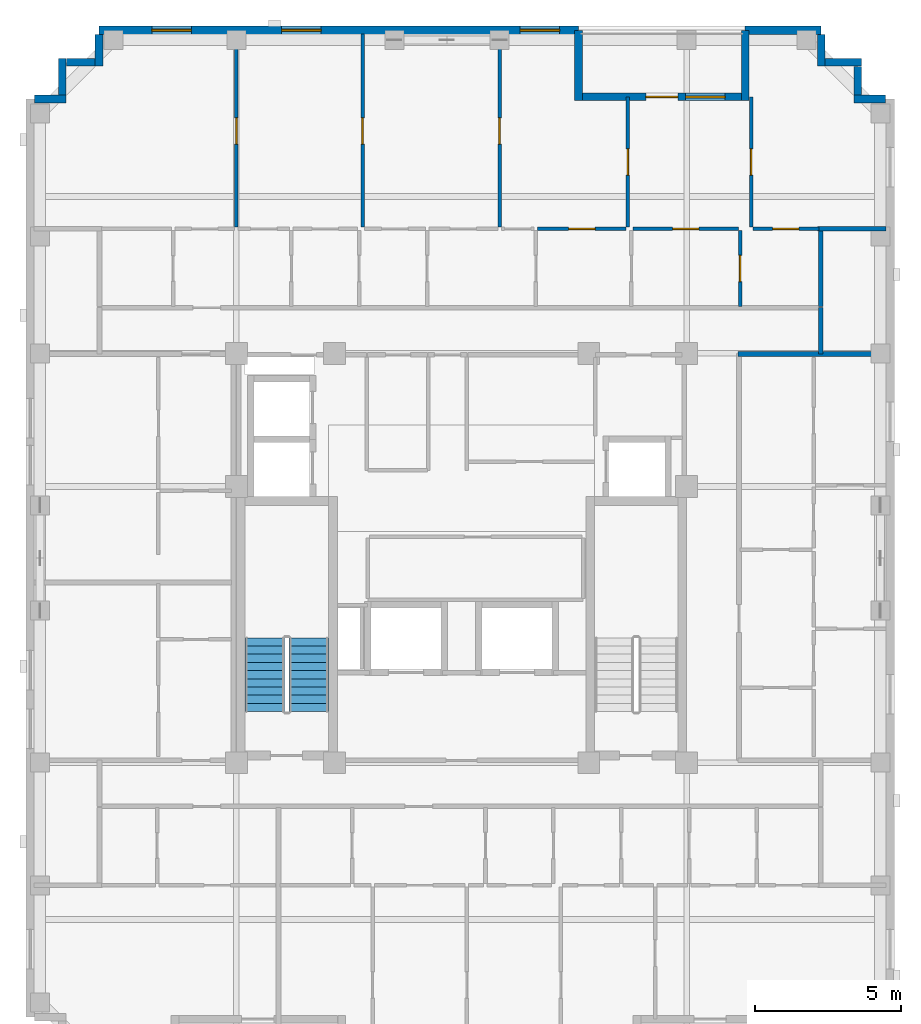
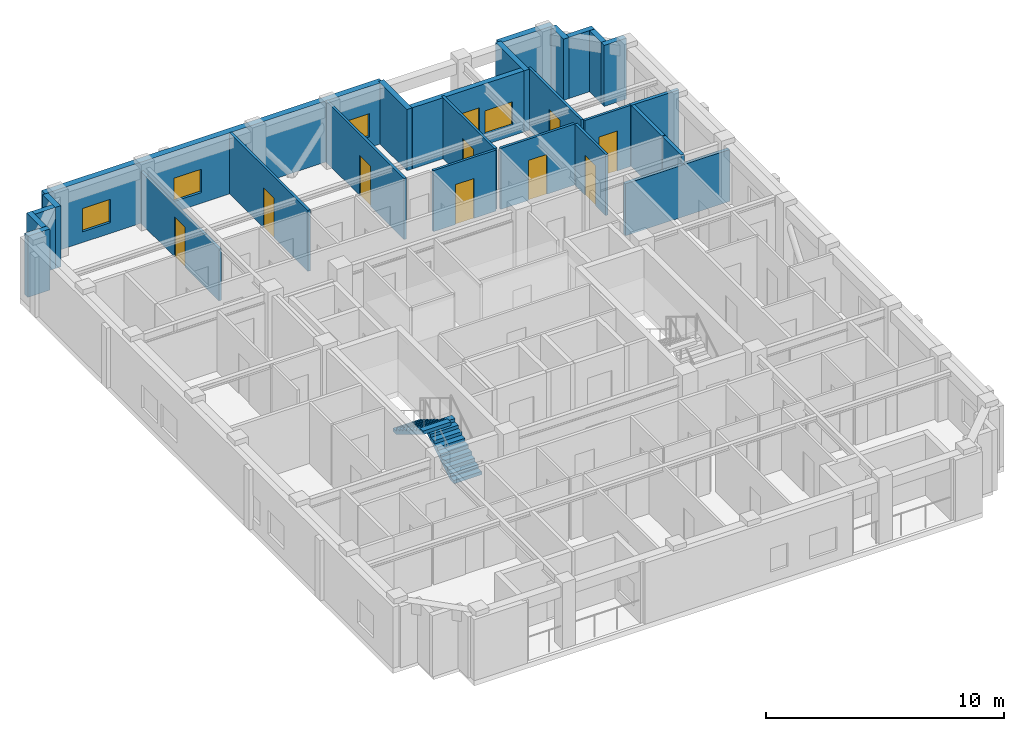
# One storey, part 7 of 11: 26 walls, 10 doors, 4 windows, 2 stair flights, 14 openings, 1 element without a shape of its own.
"""IFC4 building model written with IfcOpenShell, lengths in metres."""

from ifc_helpers import new_model, si_unit, derived_unit, direction, frame, frame_2d, origin, place, context, subcontext, project, spatial, polyline, rectangle, outline, extrude, material, layer, layer_set, type_object, element, fill, aggregate, save


model = new_model("IFC4")

# Units and contexts
model_context = context("Model", 3, precision=1e-05, world=origin(), true_north=direction((0.0, 1.0)))
body_context = subcontext(model_context, "Body", "Model", "MODEL_VIEW")
ifc_project = project(units=[si_unit("LENGTHUNIT", "METRE"), si_unit("AREAUNIT", "SQUARE_METRE"), si_unit("VOLUMEUNIT", "CUBIC_METRE"), si_unit("PLANEANGLEUNIT", "RADIAN"), si_unit("MASSUNIT", "GRAM", prefix="KILO"), derived_unit("THERMALTRANSMITTANCEUNIT", [(si_unit("MASSUNIT", "GRAM", prefix="KILO"), 1), (si_unit("TIMEUNIT", "SECOND"), -3), (si_unit("THERMODYNAMICTEMPERATUREUNIT", "KELVIN"), -1)])], contexts=[model_context])

# Site, building, storey
site_placement = place(None, origin())
site = spatial("IfcSite", under=ifc_project, at=site_placement, CompositionType="ELEMENT")
building_placement = place(site_placement, origin())
building = spatial("IfcBuilding", under=site, at=building_placement, Name="Korrvale Station Residences", CompositionType="ELEMENT")
storey_placement = place(building_placement, frame((0.0, 0.0, 244.5)))
storey = spatial("IfcBuildingStorey", under=building, at=storey_placement, Name="L71", CompositionType="ELEMENT", Elevation=244.5)

# Wall
ifc_material_1 = material(Name="Precast concrete C45/55", Category="concrete")
ifc_layer_1 = layer(ifc_material_1, 0.260009765625, Name="Precast concrete C45/55")
ifc_layer_set_1 = layer_set([ifc_layer_1], Name="Precast concrete C45/55")
wall_type_1 = type_object("IfcWallType", Name="WAL-EXT-LOG260", PredefinedType="SOLIDWALL", material=ifc_layer_set_1)
wall_1_placement = place(storey_placement, frame((29.5, 40.0400390625, 0.0), z_axis=(0.0, 0.0, 1.0), x_axis=(0.0, -1.0, 0.0)))
element("IfcWall", 1, at=wall_1_placement, inside=storey, type_object=wall_type_1, Name="L71 Recessed Loggia Wall BAL-L71-N1-L", PredefinedType="SOLIDWALL", context=body_context, shape_type="SweptSolid", body=[
    extrude(rectangle(XDim=2.400146484375, YDim=0.260009765625, at=frame_2d((1.2001953125, 0.0))), origin(), (0.0, 0.0, 1.0), 3.139892578125),
])

# Wall, openings, door, window
wall_2_placement = place(storey_placement, frame((29.634033203125, 37.77001953125, 0.0), z_axis=(0.0, 0.0, 1.0), x_axis=(1.0, 0.0, 0.0)))
wall_2 = element("IfcWall", 2, at=wall_2_placement, inside=storey, type_object=wall_type_1, Name="L71 Recessed Loggia Wall BAL-L71-N1-B", PredefinedType="SOLIDWALL", context=body_context, shape_type="SweptSolid", body=[
    extrude(rectangle(XDim=5.431884765625, YDim=0.260009765625, at=frame_2d((2.7158203125, 0.0))), origin(), (0.0, 0.0, 1.0), 3.139892578125),
])
opening_1_placement = place(wall_2_placement, frame((2.166015625, 0.0, 0.0)))
opening_1 = element("IfcOpeningElement", 3, at=opening_1_placement, cuts=wall_2, Name="Opening BD-01", PredefinedType="OPENING", context=body_context, shape_type="SweptSolid", body=[
    extrude(rectangle(XDim=1.10009765625, YDim=2.0, at=frame_2d((0.550048828125, 1.0))), frame((0.0, 0.14013671875, 0.0), z_axis=(0.0, -1.0, 0.0), x_axis=(1.0, 0.0, 0.0)), (0.0, 0.0, 1.0), 0.280029296875),
])
opening_2_placement = place(wall_2_placement, frame((3.52587890625, 0.0, 0.550048828125)))
opening_2 = element("IfcOpeningElement", 4, at=opening_2_placement, cuts=wall_2, Name="Opening W-10", PredefinedType="OPENING", context=body_context, shape_type="SweptSolid", body=[
    extrude(rectangle(XDim=1.35009765625, YDim=1.199951171875, at=frame_2d((0.675048828125, 0.60009765625))), frame((0.0, 0.14013671875, 0.0), z_axis=(0.0, -1.0, 0.0), x_axis=(1.0, 0.0, 0.0)), (0.0, 0.0, 1.0), 0.280029296875),
])
ifc_material_2 = material(Name="Exterior thermally broken aluminium glazed balcony door", Category="aluminium")
door_type_1 = type_object("IfcDoorType", Name="DR-EXT-BAL", OperationType="NOTDEFINED", PredefinedType="DOOR", material=ifc_material_2)
door_1_placement = place(opening_1_placement, origin())
door_1 = element("IfcDoor", 5, at=door_1_placement, inside=storey, type_object=door_type_1, Name="L71 Loggia Balcony Door BAL-L71-N1", OperationType="SINGLE_SWING_LEFT", OverallHeight=2.0, OverallWidth=1.10009765625, PredefinedType="DOOR", context=body_context, shape_type="SweptSolid", body=[
    extrude(rectangle(XDim=1.10009765625, YDim=2.0, at=frame_2d((0.550048828125, 1.0))), frame((0.0, 0.02490234375, 0.0), z_axis=(0.0, -1.0, 0.0), x_axis=(1.0, 0.0, 0.0)), (0.0, 0.0, 1.0), 0.050048828125),
])
fill(opening_1, door_1)
ifc_material_3 = material(Name="Thermally broken aluminium frame with triple low-e glazing", Category="aluminium")
window_type = type_object("IfcWindowType", Name="WIN-W10", PartitioningType="SINGLE_PANEL", PredefinedType="WINDOW", material=ifc_material_3)
window_1_placement = place(opening_2_placement, origin())
window_1 = element("IfcWindow", 6, at=window_1_placement, inside=storey, type_object=window_type, Name="L71 Punched Window 09", OverallHeight=1.199951171875, OverallWidth=1.35009765625, PartitioningType="SINGLE_PANEL", PredefinedType="WINDOW", context=body_context, shape_type="SweptSolid", body=[
    extrude(rectangle(XDim=1.35009765625, YDim=1.199951171875, at=frame_2d((0.675048828125, 0.60009765625))), frame((0.0, 0.030029296875, 0.0), z_axis=(0.0, -1.0, 0.0), x_axis=(1.0, 0.0, 0.0)), (0.0, 0.0, 1.0), 0.06005859375),
])
fill(opening_2, window_1)

# Walls
wall_3_placement = place(storey_placement, frame((35.199951171875, 37.639892578125, 0.0), z_axis=(0.0, 0.0, 1.0), x_axis=(0.0, 1.0, 0.0)))
element("IfcWall", 7, at=wall_3_placement, inside=storey, type_object=wall_type_1, Name="L71 Recessed Loggia Wall BAL-L71-N1-R", PredefinedType="SOLIDWALL", context=body_context, shape_type="SweptSolid", body=[
    extrude(rectangle(XDim=2.400146484375, YDim=0.260009765625, at=frame_2d((1.2001953125, 0.0))), origin(), (0.0, 0.0, 1.0), 3.139892578125),
])
wall_4_placement = place(storey_placement, frame((10.902099609375, 37.699951171875, 0.0), z_axis=(0.0, 0.0, 1.0), x_axis=(1.0, 0.0, 0.0)))
element("IfcWall", 8, at=wall_4_placement, inside=storey, type_object=wall_type_1, Name="L71 Serrated Corner Precast Step NW-1", PredefinedType="SOLIDWALL", context=body_context, shape_type="SweptSolid", body=[
    extrude(rectangle(XDim=1.077880859375, YDim=0.260009765625, at=frame_2d((0.5390625, 0.0))), origin(), (0.0, 0.0, 1.0), 3.139892578125),
])
wall_5_placement = place(storey_placement, frame((11.85009765625, 37.83203125, 0.0), z_axis=(0.0, 0.0, 1.0), x_axis=(0.0, 1.0, 0.0)))
element("IfcWall", 9, at=wall_5_placement, inside=storey, type_object=wall_type_1, Name="L71 Serrated Corner Precast Step NW-2", PredefinedType="SOLIDWALL", context=body_context, shape_type="SweptSolid", body=[
    extrude(rectangle(XDim=1.248046875, YDim=0.260009765625, at=frame_2d((0.6240234375, 0.0))), origin(), (0.0, 0.0, 1.0), 3.139892578125),
])
wall_6_placement = place(storey_placement, frame((11.98193359375, 38.949951171875, 0.0), z_axis=(0.0, 0.0, 1.0), x_axis=(1.0, 0.0, 0.0)))
element("IfcWall", 10, at=wall_6_placement, inside=storey, type_object=wall_type_1, Name="L71 Serrated Corner Precast Step NW-3", PredefinedType="SOLIDWALL", context=body_context, shape_type="SweptSolid", body=[
    extrude(rectangle(XDim=0.986083984375, YDim=0.260009765625, at=frame_2d((0.4931640625, 0.0))), origin(), (0.0, 0.0, 1.0), 3.139892578125),
])
for number, where, z_axis, x_axis, name in (
    (11, (13.10009765625, 38.820068359375, 0.0), (0.0, 0.0, 1.0), (0.0, 1.0, 0.0), "L71 Serrated Corner Precast Step NW-4"),
    (12, (37.800048828125, 39.89794921875, 0.0), (0.0, 0.0, 1.0), (0.0, -1.0, 0.0), "L71 Serrated Corner Precast Step NE-1"),
):
    element("IfcWall", number, at=place(storey_placement, frame(where, z_axis=z_axis, x_axis=x_axis)), inside=storey, type_object=wall_type_1, Name=name, PredefinedType="SOLIDWALL", context=body_context, shape_type="SweptSolid", body=[
        extrude(rectangle(XDim=1.077880859375, YDim=0.260009765625, at=frame_2d((0.5390625, 0.0))), origin(), (0.0, 0.0, 1.0), 3.139892578125),
    ])
wall_7_placement = place(storey_placement, frame((37.931884765625, 38.949951171875, 0.0), z_axis=(0.0, 0.0, 1.0), x_axis=(1.0, 0.0, 0.0)))
element("IfcWall", 13, at=wall_7_placement, inside=storey, type_object=wall_type_1, Name="L71 Serrated Corner Precast Step NE-2", PredefinedType="SOLIDWALL", context=body_context, shape_type="SweptSolid", body=[
    extrude(rectangle(XDim=1.248046875, YDim=0.260009765625, at=frame_2d((0.6240234375, 0.0))), origin(), (0.0, 0.0, 1.0), 3.139892578125),
])
wall_8_placement = place(storey_placement, frame((39.050048828125, 38.818115234375, 0.0), z_axis=(0.0, 0.0, 1.0), x_axis=(0.0, -1.0, 0.0)))
element("IfcWall", 14, at=wall_8_placement, inside=storey, type_object=wall_type_1, Name="L71 Serrated Corner Precast Step NE-3", PredefinedType="SOLIDWALL", context=body_context, shape_type="SweptSolid", body=[
    extrude(rectangle(XDim=0.986083984375, YDim=0.260009765625, at=frame_2d((0.4931640625, 0.0))), origin(), (0.0, 0.0, 1.0), 3.139892578125),
])
wall_9_placement = place(storey_placement, frame((38.919921875, 37.699951171875, 0.0), z_axis=(0.0, 0.0, 1.0), x_axis=(1.0, 0.0, 0.0)))
element("IfcWall", 15, at=wall_9_placement, inside=storey, type_object=wall_type_1, Name="L71 Serrated Corner Precast Step NE-4", PredefinedType="SOLIDWALL", context=body_context, shape_type="SweptSolid", body=[
    extrude(rectangle(XDim=1.078125, YDim=0.260009765625, at=frame_2d((0.5390625, 0.0))), origin(), (0.0, 0.0, 1.0), 3.139892578125),
])

# Wall, openings, windows
ifc_layer_2 = layer(ifc_material_1, 0.300048828125, Name="Precast concrete C45/55")
ifc_layer_set_2 = layer_set([ifc_layer_2], Name="Precast concrete C45/55")
wall_type_2 = type_object("IfcWallType", Name="WAL-EXT-PC300", PredefinedType="SOLIDWALL", material=ifc_layer_set_2)
wall_10_placement = place(storey_placement, frame((13.10009765625, 40.050048828125, 0.0), z_axis=(0.0, 0.0, 1.0), x_axis=(1.0, 0.0, 0.0)))
wall_10 = element("IfcWall", 16, at=wall_10_placement, inside=storey, type_object=wall_type_2, Name="L71 North Exterior Precast Wall 1", PredefinedType="SOLIDWALL", context=body_context, shape_type="SweptSolid", body=[
    extrude(rectangle(XDim=16.39990234375, YDim=0.300048828125, at=frame_2d((8.199951171875, 0.0))), origin(), (0.0, 0.0, 1.0), 3.139892578125),
])
opening_3_placement = place(wall_10_placement, frame((1.80810546875, 0.0, 0.550048828125)))
opening_3 = element("IfcOpeningElement", 17, at=opening_3_placement, cuts=wall_10, Name="Opening W-10", PredefinedType="OPENING", context=body_context, shape_type="SweptSolid", body=[
    extrude(rectangle(XDim=1.35009765625, YDim=1.199951171875, at=frame_2d((0.675048828125, 0.60009765625))), frame((0.0, 0.16015625, 0.0), z_axis=(0.0, -1.0, 0.0), x_axis=(1.0, 0.0, 0.0)), (0.0, 0.0, 1.0), 0.320068359375),
])
opening_4_placement = place(wall_10_placement, frame((6.24609375, 0.0, 0.550048828125)))
opening_4 = element("IfcOpeningElement", 18, at=opening_4_placement, cuts=wall_10, Name="Opening W-10", PredefinedType="OPENING", context=body_context, shape_type="SweptSolid", body=[
    extrude(rectangle(XDim=1.35009765625, YDim=1.199951171875, at=frame_2d((0.675048828125, 0.60009765625))), frame((0.0, 0.16015625, 0.0), z_axis=(0.0, -1.0, 0.0), x_axis=(1.0, 0.0, 0.0)), (0.0, 0.0, 1.0), 0.320068359375),
])
opening_5_placement = place(wall_10_placement, frame((14.39990234375, 0.0, 0.550048828125)))
opening_5 = element("IfcOpeningElement", 19, at=opening_5_placement, cuts=wall_10, Name="Opening W-10", PredefinedType="OPENING", context=body_context, shape_type="SweptSolid", body=[
    extrude(rectangle(XDim=1.35009765625, YDim=1.199951171875, at=frame_2d((0.675048828125, 0.60009765625))), frame((0.0, 0.16015625, 0.0), z_axis=(0.0, -1.0, 0.0), x_axis=(1.0, 0.0, 0.0)), (0.0, 0.0, 1.0), 0.320068359375),
])
window_2_placement = place(opening_3_placement, origin())
window_2 = element("IfcWindow", 20, at=window_2_placement, inside=storey, type_object=window_type, Name="L71 Punched Window 06", OverallHeight=1.199951171875, OverallWidth=1.35009765625, PartitioningType="SINGLE_PANEL", PredefinedType="WINDOW", context=body_context, shape_type="SweptSolid", body=[
    extrude(rectangle(XDim=1.35009765625, YDim=1.199951171875, at=frame_2d((0.675048828125, 0.60009765625))), frame((0.0, 0.030029296875, 0.0), z_axis=(0.0, -1.0, 0.0), x_axis=(1.0, 0.0, 0.0)), (0.0, 0.0, 1.0), 0.06005859375),
])
fill(opening_3, window_2)
window_3_placement = place(opening_4_placement, origin())
window_3 = element("IfcWindow", 21, at=window_3_placement, inside=storey, type_object=window_type, Name="L71 Punched Window 07", OverallHeight=1.199951171875, OverallWidth=1.35009765625, PartitioningType="SINGLE_PANEL", PredefinedType="WINDOW", context=body_context, shape_type="SweptSolid", body=[
    extrude(rectangle(XDim=1.35009765625, YDim=1.199951171875, at=frame_2d((0.675048828125, 0.60009765625))), frame((0.0, 0.030029296875, 0.0), z_axis=(0.0, -1.0, 0.0), x_axis=(1.0, 0.0, 0.0)), (0.0, 0.0, 1.0), 0.06005859375),
])
fill(opening_4, window_3)
window_4_placement = place(opening_5_placement, origin())
window_4 = element("IfcWindow", 22, at=window_4_placement, inside=storey, type_object=window_type, Name="L71 Punched Window 08", OverallHeight=1.199951171875, OverallWidth=1.35009765625, PartitioningType="SINGLE_PANEL", PredefinedType="WINDOW", context=body_context, shape_type="SweptSolid", body=[
    extrude(rectangle(XDim=1.35009765625, YDim=1.199951171875, at=frame_2d((0.675048828125, 0.60009765625))), frame((0.0, 0.030029296875, 0.0), z_axis=(0.0, -1.0, 0.0), x_axis=(1.0, 0.0, 0.0)), (0.0, 0.0, 1.0), 0.06005859375),
])
fill(opening_5, window_4)

# Wall
wall_11_placement = place(storey_placement, frame((35.199951171875, 40.050048828125, 0.0), z_axis=(0.0, 0.0, 1.0), x_axis=(1.0, 0.0, 0.0)))
element("IfcWall", 23, at=wall_11_placement, inside=storey, type_object=wall_type_2, Name="L71 North Exterior Precast Wall 2", PredefinedType="SOLIDWALL", context=body_context, shape_type="SweptSolid", body=[
    extrude(rectangle(XDim=2.60009765625, YDim=0.300048828125, at=frame_2d((1.300048828125, 0.0))), origin(), (0.0, 0.0, 1.0), 3.139892578125),
])

# Wall, opening, door
ifc_material_4 = material(Name="Acoustic steel-stud gypsum board partition", Category="steel")
ifc_layer_3 = layer(ifc_material_4, 0.1201171875, Name="Acoustic steel-stud gypsum board partition")
ifc_layer_set_3 = layer_set([ifc_layer_3], Name="Acoustic steel-stud gypsum board partition")
wall_type_3 = type_object("IfcWallType", Name="WAL-PART-125", PredefinedType="PARTITIONING", material=ifc_layer_set_3)
wall_12_placement = place(storey_placement, frame((28.10009765625, 33.260009765625, 0.0), z_axis=(0.0, 0.0, 1.0), x_axis=(1.0, 0.0, 0.0)))
wall_12 = element("IfcWall", 24, at=wall_12_placement, inside=storey, type_object=wall_type_3, Name="L71 Suite Partition U03-H511", PredefinedType="PARTITIONING", context=body_context, shape_type="SweptSolid", body=[
    extrude(rectangle(XDim=3.02978515625, YDim=0.1201171875, at=frame_2d((1.514892578125, 0.0))), origin(), (0.0, 0.0, 1.0), 3.139892578125),
])
opening_6_placement = place(wall_12_placement, frame((1.06494140625, 0.0, 0.0)))
opening_6 = element("IfcOpeningElement", 25, at=opening_6_placement, cuts=wall_12, Name="Opening DI-900", PredefinedType="OPENING", context=body_context, shape_type="SweptSolid", body=[
    extrude(rectangle(XDim=0.89990234375, YDim=2.050048828125, at=frame_2d((0.449951171875, 1.02490234375))), frame((0.0, 0.070068359375, 0.0), z_axis=(0.0, -1.0, 0.0), x_axis=(1.0, 0.0, 0.0)), (0.0, 0.0, 1.0), 0.14013671875),
])
ifc_material_5 = material(Name="Painted solid-core timber interior room door", Category="wood")
door_type_2 = type_object("IfcDoorType", Name="DR-INT-900", OperationType="NOTDEFINED", PredefinedType="DOOR", material=ifc_material_5)
door_2_placement = place(opening_6_placement, origin())
door_2 = element("IfcDoor", 26, at=door_2_placement, inside=storey, type_object=door_type_2, Name="L71 Apartment 3BR L71-U03 Storage Closet 2 Door", OperationType="SINGLE_SWING_RIGHT", OverallHeight=2.050048828125, OverallWidth=0.89990234375, PredefinedType="DOOR", context=body_context, shape_type="SweptSolid", body=[
    extrude(rectangle(XDim=0.89990234375, YDim=2.050048828125, at=frame_2d((0.449951171875, 1.02490234375))), frame((0.0, 0.02490234375, 0.0), z_axis=(0.0, -1.0, 0.0), x_axis=(1.0, 0.0, 0.0)), (0.0, 0.0, 1.0), 0.050048828125),
])
fill(opening_6, door_2)

wall_13_placement = place(storey_placement, frame((35.030029296875, 30.60009765625, 0.0), z_axis=(0.0, 0.0, 1.0), x_axis=(0.0, 1.0, 0.0)))
wall_13 = element("IfcWall", 27, at=wall_13_placement, inside=storey, type_object=wall_type_3, Name="L71 Suite Partition U03-V67", PredefinedType="PARTITIONING", context=body_context, shape_type="SweptSolid", body=[
    extrude(rectangle(XDim=2.599853515625, YDim=0.1201171875, at=frame_2d((1.2998046875, 0.0))), origin(), (0.0, 0.0, 1.0), 3.139892578125),
])
opening_7_placement = place(wall_13_placement, frame((0.85009765625, 0.0, 0.0)))
opening_7 = element("IfcOpeningElement", 28, at=opening_7_placement, cuts=wall_13, Name="Opening DI-900", PredefinedType="OPENING", context=body_context, shape_type="SweptSolid", body=[
    extrude(rectangle(XDim=0.89990234375, YDim=2.050048828125, at=frame_2d((0.449951171875, 1.02490234375))), frame((0.0, 0.070068359375, 0.0), z_axis=(0.0, -1.0, 0.0), x_axis=(1.0, 0.0, 0.0)), (0.0, 0.0, 1.0), 0.14013671875),
])
door_3_placement = place(opening_7_placement, origin())
door_3 = element("IfcDoor", 29, at=door_3_placement, inside=storey, type_object=door_type_2, Name="L71 Apartment 3BR L71-U03 Storage Closet 3 Door", OperationType="SINGLE_SWING_LEFT", OverallHeight=2.050048828125, OverallWidth=0.89990234375, PredefinedType="DOOR", context=body_context, shape_type="SweptSolid", body=[
    extrude(rectangle(XDim=0.89990234375, YDim=2.050048828125, at=frame_2d((0.449951171875, 1.02490234375))), frame((0.0, 0.02490234375, 0.0), z_axis=(0.0, -1.0, 0.0), x_axis=(1.0, 0.0, 0.0)), (0.0, 0.0, 1.0), 0.050048828125),
])
fill(opening_7, door_3)

wall_14_placement = place(storey_placement, frame((31.3701171875, 33.260009765625, 0.0), z_axis=(0.0, 0.0, 1.0), x_axis=(1.0, 0.0, 0.0)))
wall_14 = element("IfcWall", 30, at=wall_14_placement, inside=storey, type_object=wall_type_3, Name="L71 Suite Partition U03-H612", PredefinedType="PARTITIONING", context=body_context, shape_type="SweptSolid", body=[
    extrude(rectangle(XDim=3.599853515625, YDim=0.1201171875, at=frame_2d((1.7998046875, 0.0))), origin(), (0.0, 0.0, 1.0), 3.139892578125),
])
opening_8_placement = place(wall_14_placement, frame((1.35009765625, 0.0, 0.0)))
opening_8 = element("IfcOpeningElement", 31, at=opening_8_placement, cuts=wall_14, Name="Opening DI-900", PredefinedType="OPENING", context=body_context, shape_type="SweptSolid", body=[
    extrude(rectangle(XDim=0.89990234375, YDim=2.050048828125, at=frame_2d((0.449951171875, 1.02490234375))), frame((0.0, 0.070068359375, 0.0), z_axis=(0.0, -1.0, 0.0), x_axis=(1.0, 0.0, 0.0)), (0.0, 0.0, 1.0), 0.14013671875),
])
door_4_placement = place(opening_8_placement, origin())
door_4 = element("IfcDoor", 32, at=door_4_placement, inside=storey, type_object=door_type_2, Name="L71 Apartment 3BR L71-U03 Storage Closet 3 Door", OperationType="SINGLE_SWING_RIGHT", OverallHeight=2.050048828125, OverallWidth=0.89990234375, PredefinedType="DOOR", context=body_context, shape_type="SweptSolid", body=[
    extrude(rectangle(XDim=0.89990234375, YDim=2.050048828125, at=frame_2d((0.449951171875, 1.02490234375))), frame((0.0, 0.02490234375, 0.0), z_axis=(0.0, -1.0, 0.0), x_axis=(1.0, 0.0, 0.0)), (0.0, 0.0, 1.0), 0.050048828125),
])
fill(opening_8, door_4)

wall_15_placement = place(storey_placement, frame((35.4599609375, 33.260009765625, 0.0), z_axis=(0.0, 0.0, 1.0), x_axis=(1.0, 0.0, 0.0)))
wall_15 = element("IfcWall", 33, at=wall_15_placement, inside=storey, type_object=wall_type_3, Name="L71 Suite Partition U03-H713", PredefinedType="PARTITIONING", context=body_context, shape_type="SweptSolid", body=[
    extrude(rectangle(XDim=2.260009765625, YDim=0.1201171875, at=frame_2d((1.1298828125, 0.0))), origin(), (0.0, 0.0, 1.0), 3.139892578125),
])
opening_9_placement = place(wall_15_placement, frame((0.679931640625, 0.0, 0.0)))
opening_9 = element("IfcOpeningElement", 34, at=opening_9_placement, cuts=wall_15, Name="Opening DI-900", PredefinedType="OPENING", context=body_context, shape_type="SweptSolid", body=[
    extrude(rectangle(XDim=0.89990234375, YDim=2.050048828125, at=frame_2d((0.449951171875, 1.02490234375))), frame((0.0, 0.070068359375, 0.0), z_axis=(0.0, -1.0, 0.0), x_axis=(1.0, 0.0, 0.0)), (0.0, 0.0, 1.0), 0.14013671875),
])
door_5_placement = place(opening_9_placement, origin())
door_5 = element("IfcDoor", 35, at=door_5_placement, inside=storey, type_object=door_type_2, Name="L71 Apartment 3BR L71-U03 Storage Closet 4 Door", OperationType="SINGLE_SWING_LEFT", OverallHeight=2.050048828125, OverallWidth=0.89990234375, PredefinedType="DOOR", context=body_context, shape_type="SweptSolid", body=[
    extrude(rectangle(XDim=0.89990234375, YDim=2.050048828125, at=frame_2d((0.449951171875, 1.02490234375))), frame((0.0, 0.02490234375, 0.0), z_axis=(0.0, -1.0, 0.0), x_axis=(1.0, 0.0, 0.0)), (0.0, 0.0, 1.0), 0.050048828125),
])
fill(opening_9, door_5)

wall_16_placement = place(storey_placement, frame((17.800048828125, 33.320068359375, 0.0), z_axis=(0.0, 0.0, 1.0), x_axis=(0.0, 1.0, 0.0)))
wall_16 = element("IfcWall", 36, at=wall_16_placement, inside=storey, type_object=wall_type_3, Name="L71 Suite Partition U03-V89", PredefinedType="PARTITIONING", context=body_context, shape_type="SweptSolid", body=[
    extrude(rectangle(XDim=6.599853515625, YDim=0.1201171875, at=frame_2d((3.2998046875, 0.0))), origin(), (0.0, 0.0, 1.0), 2.66796875),
])
opening_10_placement = place(wall_16_placement, frame((2.8349609375, 0.0, 0.0)))
opening_10 = element("IfcOpeningElement", 37, at=opening_10_placement, cuts=wall_16, Name="Opening DI-900", PredefinedType="OPENING", context=body_context, shape_type="SweptSolid", body=[
    extrude(rectangle(XDim=0.89990234375, YDim=2.050048828125, at=frame_2d((0.449951171875, 1.02490234375))), frame((0.0, 0.070068359375, 0.0), z_axis=(0.0, -1.0, 0.0), x_axis=(1.0, 0.0, 0.0)), (0.0, 0.0, 1.0), 0.14013671875),
])
door_6_placement = place(opening_10_placement, origin())
door_6 = element("IfcDoor", 38, at=door_6_placement, inside=storey, type_object=door_type_2, Name="L71 Apartment 3BR L71-U03 Living and Dining Room Door", OperationType="SINGLE_SWING_RIGHT", OverallHeight=2.050048828125, OverallWidth=0.89990234375, PredefinedType="DOOR", context=body_context, shape_type="SweptSolid", body=[
    extrude(rectangle(XDim=0.89990234375, YDim=2.050048828125, at=frame_2d((0.449951171875, 1.02490234375))), frame((0.0, 0.02490234375, 0.0), z_axis=(0.0, -1.0, 0.0), x_axis=(1.0, 0.0, 0.0)), (0.0, 0.0, 1.0), 0.050048828125),
])
fill(opening_10, door_6)

wall_17_placement = place(storey_placement, frame((22.1201171875, 33.320068359375, 0.0), z_axis=(0.0, 0.0, 1.0), x_axis=(0.0, 1.0, 0.0)))
wall_17 = element("IfcWall", 39, at=wall_17_placement, inside=storey, type_object=wall_type_3, Name="L71 Suite Partition U03-V910", PredefinedType="PARTITIONING", context=body_context, shape_type="SweptSolid", body=[
    extrude(rectangle(XDim=6.599853515625, YDim=0.1201171875, at=frame_2d((3.2998046875, 0.0))), origin(), (0.0, 0.0, 1.0), 3.139892578125),
])
opening_11_placement = place(wall_17_placement, frame((2.8349609375, 0.0, 0.0)))
opening_11 = element("IfcOpeningElement", 40, at=opening_11_placement, cuts=wall_17, Name="Opening DI-900", PredefinedType="OPENING", context=body_context, shape_type="SweptSolid", body=[
    extrude(rectangle(XDim=0.89990234375, YDim=2.050048828125, at=frame_2d((0.449951171875, 1.02490234375))), frame((0.0, 0.070068359375, 0.0), z_axis=(0.0, -1.0, 0.0), x_axis=(1.0, 0.0, 0.0)), (0.0, 0.0, 1.0), 0.14013671875),
])
door_7_placement = place(opening_11_placement, origin())
door_7 = element("IfcDoor", 41, at=door_7_placement, inside=storey, type_object=door_type_2, Name="L71 Apartment 3BR L71-U03 Formal Dining Room Door", OperationType="SINGLE_SWING_LEFT", OverallHeight=2.050048828125, OverallWidth=0.89990234375, PredefinedType="DOOR", context=body_context, shape_type="SweptSolid", body=[
    extrude(rectangle(XDim=0.89990234375, YDim=2.050048828125, at=frame_2d((0.449951171875, 1.02490234375))), frame((0.0, 0.02490234375, 0.0), z_axis=(0.0, -1.0, 0.0), x_axis=(1.0, 0.0, 0.0)), (0.0, 0.0, 1.0), 0.050048828125),
])
fill(opening_11, door_7)

wall_18_placement = place(storey_placement, frame((26.800048828125, 33.320068359375, 0.0), z_axis=(0.0, 0.0, 1.0), x_axis=(0.0, 1.0, 0.0)))
wall_18 = element("IfcWall", 42, at=wall_18_placement, inside=storey, type_object=wall_type_3, Name="L71 Suite Partition U03-V1011", PredefinedType="PARTITIONING", context=body_context, shape_type="SweptSolid", body=[
    extrude(rectangle(XDim=6.599853515625, YDim=0.1201171875, at=frame_2d((3.2998046875, 0.0))), origin(), (0.0, 0.0, 1.0), 3.139892578125),
])
opening_12_placement = place(wall_18_placement, frame((2.8349609375, 0.0, 0.0)))
opening_12 = element("IfcOpeningElement", 43, at=opening_12_placement, cuts=wall_18, Name="Opening DI-900", PredefinedType="OPENING", context=body_context, shape_type="SweptSolid", body=[
    extrude(rectangle(XDim=0.89990234375, YDim=2.050048828125, at=frame_2d((0.449951171875, 1.02490234375))), frame((0.0, 0.070068359375, 0.0), z_axis=(0.0, -1.0, 0.0), x_axis=(1.0, 0.0, 0.0)), (0.0, 0.0, 1.0), 0.14013671875),
])
door_8_placement = place(opening_12_placement, origin())
door_8 = element("IfcDoor", 44, at=door_8_placement, inside=storey, type_object=door_type_2, Name="L71 Apartment 3BR L71-U03 Wardrobe Storage Room Door", OperationType="SINGLE_SWING_RIGHT", OverallHeight=2.050048828125, OverallWidth=0.89990234375, PredefinedType="DOOR", context=body_context, shape_type="SweptSolid", body=[
    extrude(rectangle(XDim=0.89990234375, YDim=2.050048828125, at=frame_2d((0.449951171875, 1.02490234375))), frame((0.0, 0.02490234375, 0.0), z_axis=(0.0, -1.0, 0.0), x_axis=(1.0, 0.0, 0.0)), (0.0, 0.0, 1.0), 0.050048828125),
])
fill(opening_12, door_8)

wall_19_placement = place(storey_placement, frame((31.18994140625, 33.320068359375, 0.0), z_axis=(0.0, 0.0, 1.0), x_axis=(0.0, 1.0, 0.0)))
wall_19 = element("IfcWall", 45, at=wall_19_placement, inside=storey, type_object=wall_type_3, Name="L71 Suite Partition U03-V1112", PredefinedType="PARTITIONING", context=body_context, shape_type="SweptSolid", body=[
    extrude(rectangle(XDim=4.449951171875, YDim=0.1201171875, at=frame_2d((2.22509765625, 0.0))), origin(), (0.0, 0.0, 1.0), 3.139892578125),
])
opening_13_placement = place(wall_19_placement, frame((1.77490234375, 0.0, 0.0)))
opening_13 = element("IfcOpeningElement", 46, at=opening_13_placement, cuts=wall_19, Name="Opening DI-900", PredefinedType="OPENING", context=body_context, shape_type="SweptSolid", body=[
    extrude(rectangle(XDim=0.89990234375, YDim=2.050048828125, at=frame_2d((0.449951171875, 1.02490234375))), frame((0.0, 0.070068359375, 0.0), z_axis=(0.0, -1.0, 0.0), x_axis=(1.0, 0.0, 0.0)), (0.0, 0.0, 1.0), 0.14013671875),
])
door_9_placement = place(opening_13_placement, origin())
door_9 = element("IfcDoor", 47, at=door_9_placement, inside=storey, type_object=door_type_2, Name="L71 Apartment 3BR L71-U03 Bedroom 1 Door", OperationType="SINGLE_SWING_LEFT", OverallHeight=2.050048828125, OverallWidth=0.89990234375, PredefinedType="DOOR", context=body_context, shape_type="SweptSolid", body=[
    extrude(rectangle(XDim=0.89990234375, YDim=2.050048828125, at=frame_2d((0.449951171875, 1.02490234375))), frame((0.0, 0.02490234375, 0.0), z_axis=(0.0, -1.0, 0.0), x_axis=(1.0, 0.0, 0.0)), (0.0, 0.0, 1.0), 0.050048828125),
])
fill(opening_13, door_9)

wall_20_placement = place(storey_placement, frame((35.39990234375, 33.320068359375, 0.0), z_axis=(0.0, 0.0, 1.0), x_axis=(0.0, 1.0, 0.0)))
wall_20 = element("IfcWall", 48, at=wall_20_placement, inside=storey, type_object=wall_type_3, Name="L71 Suite Partition U03-V1213", PredefinedType="PARTITIONING", context=body_context, shape_type="SweptSolid", body=[
    extrude(rectangle(XDim=4.449951171875, YDim=0.1201171875, at=frame_2d((2.22509765625, 0.0))), origin(), (0.0, 0.0, 1.0), 3.139892578125),
])
opening_14_placement = place(wall_20_placement, frame((1.77490234375, 0.0, 0.0)))
opening_14 = element("IfcOpeningElement", 49, at=opening_14_placement, cuts=wall_20, Name="Opening DI-900", PredefinedType="OPENING", context=body_context, shape_type="SweptSolid", body=[
    extrude(rectangle(XDim=0.89990234375, YDim=2.050048828125, at=frame_2d((0.449951171875, 1.02490234375))), frame((0.0, 0.070068359375, 0.0), z_axis=(0.0, -1.0, 0.0), x_axis=(1.0, 0.0, 0.0)), (0.0, 0.0, 1.0), 0.14013671875),
])
door_10_placement = place(opening_14_placement, origin())
door_10 = element("IfcDoor", 50, at=door_10_placement, inside=storey, type_object=door_type_2, Name="L71 Apartment 3BR L71-U03 Bedroom 2 Door", OperationType="SINGLE_SWING_RIGHT", OverallHeight=2.050048828125, OverallWidth=0.89990234375, PredefinedType="DOOR", context=body_context, shape_type="SweptSolid", body=[
    extrude(rectangle(XDim=0.89990234375, YDim=2.050048828125, at=frame_2d((0.449951171875, 1.02490234375))), frame((0.0, 0.02490234375, 0.0), z_axis=(0.0, -1.0, 0.0), x_axis=(1.0, 0.0, 0.0)), (0.0, 0.0, 1.0), 0.050048828125),
])
fill(opening_14, door_10)

# Walls
ifc_material_6 = material(Name="Fire-rated twin-stud gypsum and mineral wool shaftwall assembly", Category="gypsum")
ifc_layer_4 = layer(ifc_material_6, 0.159912109375, Name="Fire-rated twin-stud gypsum and mineral wool shaftwall assembly")
ifc_layer_set_4 = layer_set([ifc_layer_4], Name="Fire-rated twin-stud gypsum and mineral wool shaftwall assembly")
wall_type_4 = type_object("IfcWallType", Name="WAL-PART-200", PredefinedType="PARTITIONING", material=ifc_layer_set_4)
wall_21_placement = place(storey_placement, frame((37.780029296875, 28.97998046875, 0.0), z_axis=(0.0, 0.0, 1.0), x_axis=(0.0, 1.0, 0.0)))
element("IfcWall", 51, at=wall_21_placement, inside=storey, type_object=wall_type_4, Name="L71 Corridor North East Cap", PredefinedType="PARTITIONING", context=body_context, shape_type="SweptSolid", body=[
    extrude(rectangle(XDim=1.580078125, YDim=0.159912109375, at=frame_2d((0.7900390625, 0.0))), origin(), (0.0, 0.0, 1.0), 3.139892578125),
])
wall_22_placement = place(storey_placement, frame((34.949951171875, 28.97998046875, 0.0), z_axis=(0.0, 0.0, 1.0), x_axis=(1.0, 0.0, 0.0)))
element("IfcWall", 52, at=wall_22_placement, inside=storey, type_object=wall_type_4, Name="L71 East Wing North Corridor Wall", PredefinedType="PARTITIONING", context=body_context, shape_type="SweptSolid", body=[
    extrude(rectangle(XDim=5.070068359375, YDim=0.159912109375, at=frame_2d((2.53515625, 0.0))), origin(), (0.0, 0.0, 1.0), 2.66796875),
])
wall_23_placement = place(storey_placement, frame((37.679931640625, 33.260009765625, 0.0), z_axis=(0.0, 0.0, 1.0), x_axis=(1.0, 0.0, 0.0)))
element("IfcWall", 53, at=wall_23_placement, inside=storey, type_object=wall_type_4, Name="L71 Corner Step Wall U03-R", PredefinedType="PARTITIONING", context=body_context, shape_type="SweptSolid", body=[
    extrude(rectangle(XDim=2.340087890625, YDim=0.159912109375, at=frame_2d((1.169921875, 0.0))), origin(), (0.0, 0.0, 1.0), 3.139892578125),
])
wall_24_placement = place(storey_placement, frame((37.780029296875, 30.60009765625, 0.0), z_axis=(0.0, 0.0, 1.0), x_axis=(0.0, 1.0, 0.0)))
element("IfcWall", 54, at=wall_24_placement, inside=storey, type_object=wall_type_4, Name="L71 Corner Step Cheek U03-R", PredefinedType="PARTITIONING", context=body_context, shape_type="SweptSolid", body=[
    extrude(rectangle(XDim=2.659912109375, YDim=0.159912109375, at=frame_2d((1.330078125, 0.0))), origin(), (0.0, 0.0, 1.0), 3.139892578125),
])

# Stair, stair flights
ifc_material_7 = material(Name="Concrete C50/60", Category="concrete")
stair_type = type_object("IfcStairType", Name="STR-DL-1350-20R-1700", PredefinedType="HALF_TURN_STAIR", material=ifc_material_7)
stair_placement = place(storey_placement, origin())
stair = element("IfcStair", 55, at=stair_placement, inside=storey, type_object=stair_type, Name="L71 Exit Stair 1", PredefinedType="HALF_TURN_STAIR")
stair_flight_type = type_object("IfcStairFlightType", Name="FLT-DL-1350-20R-1700", PredefinedType="STRAIGHT", material=ifc_material_7)
stair_flight_1_placement = place(storey_placement, frame((20.27490234375, 16.75, 0.0), z_axis=(0.0, 0.0, 1.0), x_axis=(0.0, 1.0, 0.0)))
stair_flight_1 = element("IfcStairFlight", 56, at=stair_flight_1_placement, type_object=stair_flight_type, Name="ST-1 flight 1", NumberOfRisers=10, NumberOfTreads=9, PredefinedType="STRAIGHT", RiserHeight=0.17, TreadLength=0.28, context=body_context, shape_type="SweptSolid", body=[
    extrude(outline(polyline([(0.0, 0.0), (0.0, 0.169921875), (0.280029296875, 0.169921875), (0.280029296875, 0.340087890625), (0.56005859375, 0.340087890625), (0.56005859375, 0.510009765625), (0.840087890625, 0.510009765625), (0.840087890625, 0.679931640625), (1.1201171875, 0.679931640625), (1.1201171875, 0.85009765625), (1.39990234375, 0.85009765625), (1.39990234375, 1.02001953125), (1.679931640625, 1.02001953125), (1.679931640625, 1.18994140625), (1.9599609375, 1.18994140625), (1.9599609375, 1.360107421875), (2.239990234375, 1.360107421875), (2.239990234375, 1.530029296875), (2.52001953125, 1.530029296875), (2.52001953125, 1.699951171875), (2.52001953125, 1.354736328125), (0.288818359375, 0.0), (0.0, 0.0)])), frame((0.0, 0.675048828125, 0.0), z_axis=(0.0, -1.0, 0.0), x_axis=(1.0, 0.0, 0.0)), (0.0, 0.0, 1.0), 1.35009765625),
])
stair_flight_2_placement = place(storey_placement, frame((18.77490234375, 19.27001953125, 1.699951171875), z_axis=(0.0, 0.0, 1.0), x_axis=(0.0, -1.0, 0.0)))
stair_flight_2 = element("IfcStairFlight", 57, at=stair_flight_2_placement, type_object=stair_flight_type, Name="ST-1 flight 2", NumberOfRisers=10, NumberOfTreads=9, PredefinedType="STRAIGHT", RiserHeight=0.17, TreadLength=0.28, context=body_context, shape_type="SweptSolid", body=[
    extrude(outline(polyline([(0.0, 0.0), (0.0, 0.169921875), (0.280029296875, 0.169921875), (0.280029296875, 0.340087890625), (0.56005859375, 0.340087890625), (0.56005859375, 0.510009765625), (0.840087890625, 0.510009765625), (0.840087890625, 0.679931640625), (1.1201171875, 0.679931640625), (1.1201171875, 0.85009765625), (1.39990234375, 0.85009765625), (1.39990234375, 1.02001953125), (1.679931640625, 1.02001953125), (1.679931640625, 1.18994140625), (1.9599609375, 1.18994140625), (1.9599609375, 1.360107421875), (2.239990234375, 1.360107421875), (2.239990234375, 1.530029296875), (2.52001953125, 1.530029296875), (2.52001953125, 1.699951171875), (2.52001953125, 1.354736328125), (0.288818359375, 0.0), (0.0, 0.0)])), frame((0.0, 0.675048828125, 0.0), z_axis=(0.0, -1.0, 0.0), x_axis=(1.0, 0.0, 0.0)), (0.0, 0.0, 1.0), 1.35009765625),
])
aggregate(stair, [stair_flight_1, stair_flight_2])

save(model, "model.ifc")
